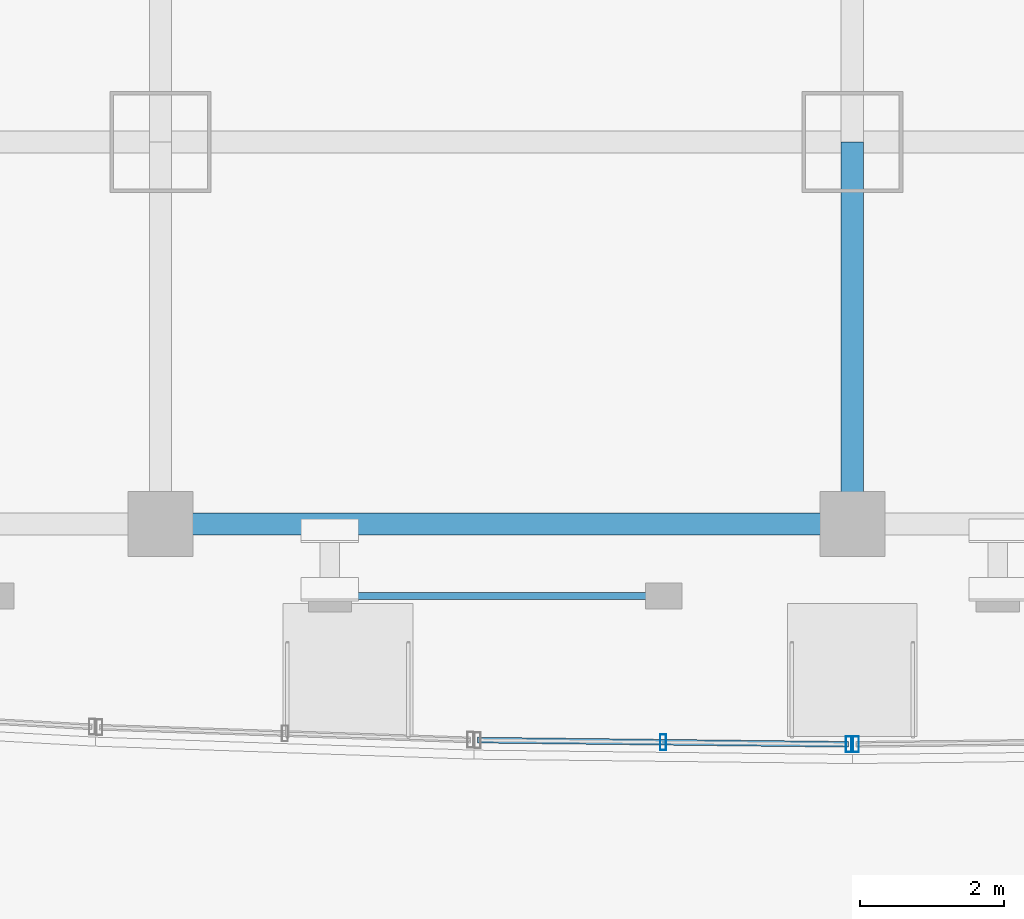
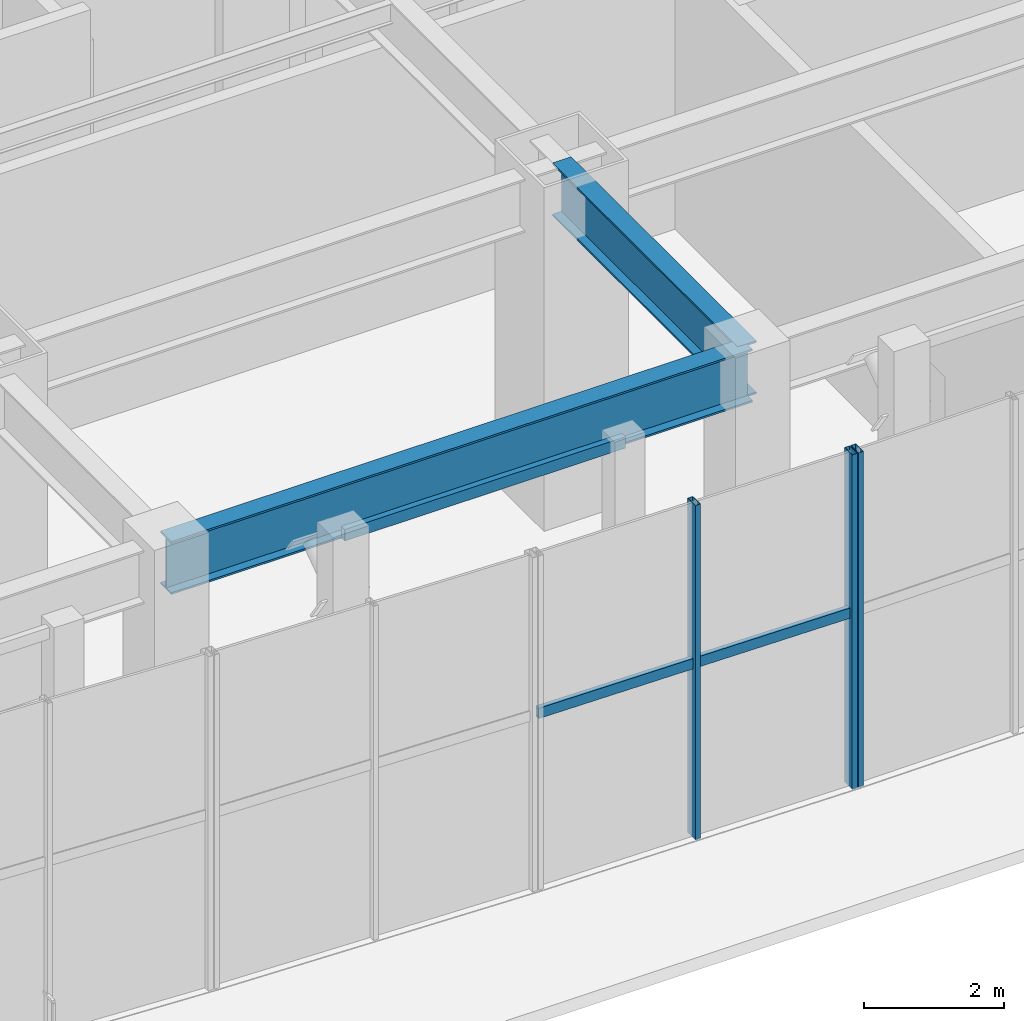
# One storey, part 5 of 23: 5 members, 2 beams, 2 elements without a shape of their own.
"""IFC4 building model written with IfcOpenShell, lengths in metres."""

from ifc_helpers import new_model, si_unit, direction, frame, origin, origin_2d, place, context, subcontext, project, spatial, hollow_rectangle, i_section, extrude, material, layer, layer_set, material_profile, profile_set, type_object, element, aggregate, save


model = new_model("IFC4")

# Units and contexts
model_context = context("Model", 3, precision=1e-05, world=origin(), true_north=direction((0.0, 1.0)))
body_context = subcontext(model_context, "Body", "Model", "MODEL_VIEW")
ifc_project = project(units=[si_unit("LENGTHUNIT", "METRE"), si_unit("AREAUNIT", "SQUARE_METRE"), si_unit("VOLUMEUNIT", "CUBIC_METRE"), si_unit("PLANEANGLEUNIT", "RADIAN"), si_unit("MASSUNIT", "GRAM", prefix="KILO")], contexts=[model_context])

# Site, building, storey
site_placement = place(None, origin())
site = spatial("IfcSite", under=ifc_project, at=site_placement, CompositionType="ELEMENT")
building_placement = place(site_placement, origin())
building = spatial("IfcBuilding", under=site, at=building_placement, Name="Vantalir Tower", CompositionType="ELEMENT")
storey_placement = place(building_placement, origin())
storey = spatial("IfcBuildingStorey", under=building, at=storey_placement, Name="L00", CompositionType="ELEMENT", Elevation=0.0)

# Beams
ifc_material_1 = material(Name="Steel S355", Category="steel")
ifc_material_profile_1 = material_profile(ifc_material_1, i_section(OverallWidth=0.30810546875, OverallDepth=0.927001953125, WebThickness=0.01953125, FlangeThickness=0.031982421875, at=origin_2d()), Name="Steel S355")
ifc_profile_set_1 = profile_set([ifc_material_profile_1], Name="Steel S355")
beam_type = type_object("IfcBeamType", Name="BM-PG-914x305", PredefinedType="USERDEFINED", material=ifc_profile_set_1)
beam_1_placement = place(storey_placement, frame((21.89990234375, 3.199951171875, 5.35693359375), z_axis=(1.0, 0.0, 0.0), x_axis=(0.0, 1.0, 0.0)))
element("IfcBeam", 1, at=beam_1_placement, inside=storey, type_object=beam_type, Name="L00 Podium E-W Girder 03", ObjectType="GIRDER", PredefinedType="USERDEFINED", context=body_context, shape_type="SweptSolid", body=[
    extrude(i_section(OverallWidth=0.30810546875, OverallDepth=0.927001953125, WebThickness=0.01953125, FlangeThickness=0.031982421875, at=origin_2d()), origin(), (0.0, 0.0, 1.0), 9.60009765625),
])
beam_2_placement = place(storey_placement, frame((31.5, 3.199951171875, 5.35693359375), z_axis=(0.0, 1.0, 0.0), x_axis=(-1.0, 0.0, 0.0)))
element("IfcBeam", 2, at=beam_2_placement, inside=storey, type_object=beam_type, Name="L00 Podium N-S Girder 63", ObjectType="GIRDER", PredefinedType="USERDEFINED", context=body_context, shape_type="SweptSolid", body=[
    extrude(i_section(OverallWidth=0.30810546875, OverallDepth=0.927001953125, WebThickness=0.01953125, FlangeThickness=0.031982421875, at=origin_2d()), origin(), (0.0, 0.0, 1.0), 5.300048828125),
])

# Curtain wall, members
ifc_material_2 = material(Name="Champagne-silver PVDF aluminium and double-silver Low-E glass", Category="aluminium")
ifc_layer = layer(ifc_material_2, 0.239990234375)
ifc_layer_set = layer_set([ifc_layer], Name="Champagne-silver PVDF aluminium and double-silver Low-E glass")
curtain_wall_type = type_object("IfcCurtainWallType", Name="CW-PODIUM-WF", PredefinedType="USERDEFINED", material=ifc_layer_set)
curtain_wall_1_placement = place(storey_placement, origin())
curtain_wall_1 = element("IfcCurtainWall", 3, at=curtain_wall_1_placement, inside=storey, type_object=curtain_wall_type, Name="L00 Waterfront Stick Curtain Wall 06", ObjectType="STICK CURTAIN WALL", PredefinedType="USERDEFINED")
ifc_material_3 = material(Name="Champagne-silver PVDF aluminium 6063-T6", Category="aluminium")
ifc_material_profile_2 = material_profile(ifc_material_3, hollow_rectangle(XDim=0.0849609375, YDim=0.219970703125, WallThickness=0.0048828125, at=origin_2d()), Name="Champagne-silver PVDF aluminium 6063-T6")
ifc_profile_set_2 = profile_set([ifc_material_profile_2], Name="Champagne-silver PVDF aluminium 6063-T6")
member_type_1 = type_object("IfcMemberType", Name="CWM-220x85", PredefinedType="MULLION", material=ifc_profile_set_2)
member_1_placement = place(storey_placement, frame((28.875, 0.169921875, -0.011962890625), z_axis=(0.0, 0.0, 1.0), x_axis=(1.0, 0.0, 0.0)))
member_1 = element("IfcMember", 4, at=member_1_placement, type_object=member_type_1, Name="CW-L00-WF-06 Mullion 2", PredefinedType="MULLION", context=body_context, shape_type="SweptSolid", body=[
    extrude(hollow_rectangle(XDim=0.0849609375, YDim=0.219970703125, WallThickness=0.0048828125, at=origin_2d()), origin(), (0.0, 0.0, 1.0), 5.843994140625),
])
member_2_placement = place(storey_placement, frame((31.449951171875, 0.14111328125, -0.011962890625), z_axis=(0.0, 0.0, 1.0), x_axis=(1.0, 0.0, 0.0)))
member_2 = element("IfcMember", 5, at=member_2_placement, type_object=member_type_1, Name="CW-L00-WF-06 Mullion 3", PredefinedType="MULLION", context=body_context, shape_type="SweptSolid", body=[
    extrude(hollow_rectangle(XDim=0.0849609375, YDim=0.219970703125, WallThickness=0.0048828125, at=origin_2d()), origin(), (0.0, 0.0, 1.0), 5.843994140625),
])

# Curtain wall, member
curtain_wall_2_placement = place(storey_placement, origin())
curtain_wall_2 = element("IfcCurtainWall", 6, at=curtain_wall_2_placement, inside=storey, type_object=curtain_wall_type, Name="L00 Waterfront Stick Curtain Wall 07", ObjectType="STICK CURTAIN WALL", PredefinedType="USERDEFINED")
member_3_placement = place(storey_placement, frame((31.550048828125, 0.14111328125, -0.011962890625), z_axis=(0.0, 0.0, 1.0), x_axis=(1.0, 0.0, 0.0)))
member_3 = element("IfcMember", 7, at=member_3_placement, type_object=member_type_1, Name="CW-L00-WF-07 Mullion 1", PredefinedType="MULLION", context=body_context, shape_type="SweptSolid", body=[
    extrude(hollow_rectangle(XDim=0.0849609375, YDim=0.219970703125, WallThickness=0.0048828125, at=origin_2d()), origin(), (0.0, 0.0, 1.0), 5.843994140625),
])
aggregate(curtain_wall_2, [member_3])

# Member
ifc_material_profile_3 = material_profile(ifc_material_3, hollow_rectangle(XDim=0.080078125, YDim=0.179931640625, WallThickness=0.0048828125, at=origin_2d()), Name="Champagne-silver PVDF aluminium 6063-T6")
ifc_profile_set_3 = profile_set([ifc_material_profile_3], Name="Champagne-silver PVDF aluminium 6063-T6")
member_type_2 = type_object("IfcMemberType", Name="CWT-180x80", PredefinedType="USERDEFINED", material=ifc_profile_set_3)
member_4_placement = place(storey_placement, frame((26.300048828125, 0.199951171875, 3.02587890625), z_axis=(0.999934740508, -0.011424304184, 0.0), x_axis=(0.011424304184, 0.999934740508, 0.0)))
member_4 = element("IfcMember", 8, at=member_4_placement, type_object=member_type_2, Name="CW-L00-WF-06 Transom 1", ObjectType="TRANSOM", PredefinedType="USERDEFINED", context=body_context, shape_type="SweptSolid", body=[
    extrude(hollow_rectangle(XDim=0.080078125, YDim=0.179931640625, WallThickness=0.0048828125, at=origin_2d()), origin(), (0.0, 0.0, 1.0), 5.150146484375),
])

aggregate(curtain_wall_1, [member_1, member_2, member_4])

ifc_material_profile_4 = material_profile(ifc_material_1, hollow_rectangle(XDim=0.10009765625, YDim=0.199951171875, WallThickness=0.008056640625, at=origin_2d()), Name="Steel S355")
ifc_profile_set_4 = profile_set([ifc_material_profile_4], Name="Steel S355")
member_type_3 = type_object("IfcMemberType", Name="MEM-PR-200x100", PredefinedType="PURLIN", material=ifc_profile_set_4)
member_5_placement = place(storey_placement, frame((24.25, 2.199951171875, 5.64990234375), z_axis=(1.0, 0.0, 0.0), x_axis=(0.0, 1.0, 0.0)))
element("IfcMember", 9, at=member_5_placement, inside=storey, type_object=member_type_3, Name="L00 Waterfront Canopy Colonnade Tie 03", PredefinedType="PURLIN", context=body_context, shape_type="SweptSolid", body=[
    extrude(hollow_rectangle(XDim=0.10009765625, YDim=0.199951171875, WallThickness=0.008056640625, at=origin_2d()), origin(), (0.0, 0.0, 1.0), 4.633056640625),
])

save(model, "model.ifc")
